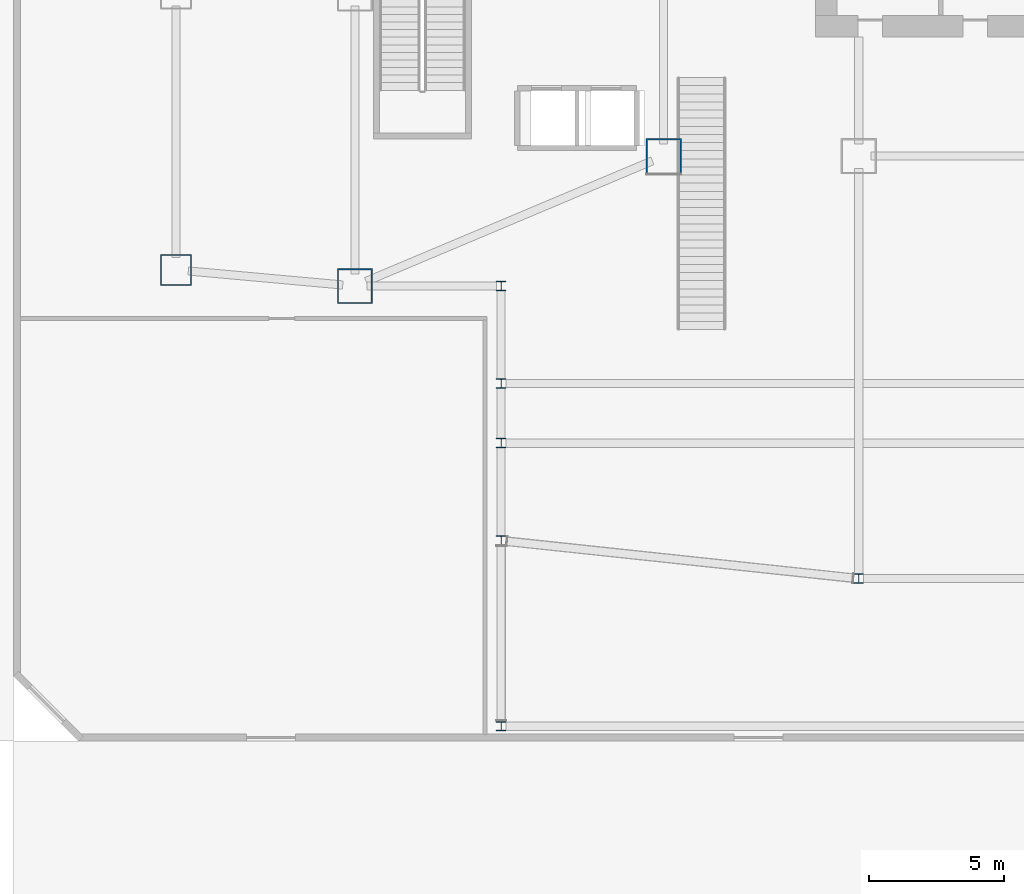
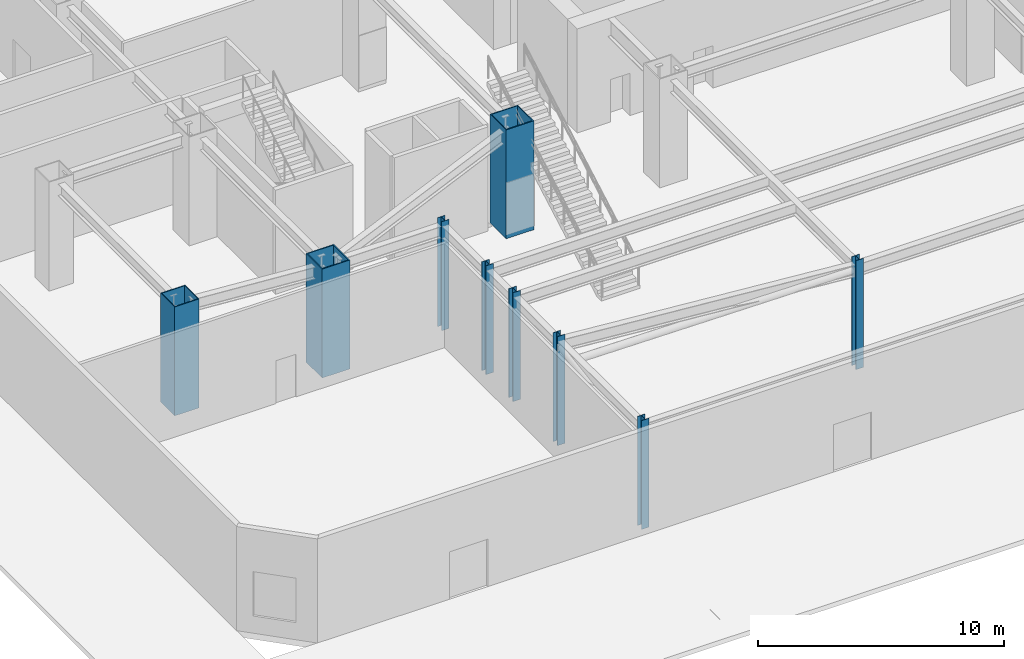
# One storey, part 1 of 20: 9 columns.
"""IFC4 building model written with IfcOpenShell, lengths in metres."""

from ifc_helpers import new_model, si_unit, direction, frame, origin, origin_2d, place, context, subcontext, project, spatial, hollow_rectangle, i_section, extrude, material, material_profile, profile_set, type_object, element, save


model = new_model("IFC4")

# Units and contexts
model_context = context("Model", 3, precision=1e-05, world=origin(), true_north=direction((0.0, 1.0)))
body_context = subcontext(model_context, "Body", "Model", "MODEL_VIEW")
ifc_project = project(units=[si_unit("LENGTHUNIT", "METRE"), si_unit("AREAUNIT", "SQUARE_METRE"), si_unit("VOLUMEUNIT", "CUBIC_METRE"), si_unit("PLANEANGLEUNIT", "RADIAN"), si_unit("MASSUNIT", "GRAM", prefix="KILO")], contexts=[model_context])

# Site, building, storey
site_placement = place(None, origin())
site = spatial("IfcSite", under=ifc_project, at=site_placement, CompositionType="ELEMENT")
building_placement = place(site_placement, origin())
building = spatial("IfcBuilding", under=site, at=building_placement, Name="Haolan Belvedere Tower", CompositionType="ELEMENT")
storey_placement = place(building_placement, origin())
storey = spatial("IfcBuildingStorey", under=building, at=storey_placement, Name="L00", CompositionType="ELEMENT", Elevation=0.0)

# Columns
ifc_material = material(Name="Steel Q355B", Category="steel")
ifc_material_profile_1 = material_profile(ifc_material, hollow_rectangle(XDim=1.14990234375, YDim=1.14990234375, WallThickness=0.0419921875, at=origin_2d()), Name="Steel Q355B")
ifc_profile_set_1 = profile_set([ifc_material_profile_1], Name="Steel Q355B")
column_type_1 = type_object("IfcColumnType", Name="COL-BOX1150x1150x42", PredefinedType="COLUMN", material=ifc_profile_set_1)
column_placement = place(storey_placement, frame((6.0, 17.39990234375, 0.0), z_axis=(0.0, 0.0, 1.0), x_axis=(1.0, 0.0, 0.0)))
element("IfcColumn", 1, at=column_placement, inside=storey, type_object=column_type_1, Name="L00 column MC-T1-SW (BOX1150x1150x42)", PredefinedType="COLUMN", context=body_context, shape_type="SweptSolid", body=[
    extrude(hollow_rectangle(XDim=1.14990234375, YDim=1.14990234375, WallThickness=0.0419921875, at=origin_2d()), origin(), (0.0, 0.0, 1.0), 5.39990234375),
])
ifc_material_profile_2 = material_profile(ifc_material, hollow_rectangle(XDim=1.300048828125, YDim=1.300048828125, WallThickness=0.048095703125, at=origin_2d()), Name="Steel Q355B")
ifc_profile_set_2 = profile_set([ifc_material_profile_2], Name="Steel Q355B")
column_type_2 = type_object("IfcColumnType", Name="COL-BOX1300x1300x48", PredefinedType="COLUMN", material=ifc_profile_set_2)
for number, where, z_axis, x_axis, name in (
    (2, (24.0, 21.60009765625, 0.0), (0.0, 0.0, 1.0), (1.0, 0.0, 0.0), "L00 column MC-T3-SW (BOX1300x1300x48)"),
    (3, (12.60009765625, 16.800048828125, 0.0), (0.0, 0.0, 1.0), (1.0, 0.0, 0.0), "L00 column MC-T2-SW (BOX1300x1300x48)"),
):
    element("IfcColumn", number, at=place(storey_placement, frame(where, z_axis=z_axis, x_axis=x_axis)), inside=storey, type_object=column_type_2, Name=name, PredefinedType="COLUMN", context=body_context, shape_type="SweptSolid", body=[
        extrude(hollow_rectangle(XDim=1.300048828125, YDim=1.300048828125, WallThickness=0.048095703125, at=origin_2d()), origin(), (0.0, 0.0, 1.0), 5.39990234375),
    ])
ifc_material_profile_3 = material_profile(ifc_material, i_section(OverallWidth=0.35009765625, OverallDepth=0.35009765625, WebThickness=0.011962890625, FlangeThickness=0.01904296875, FilletRadius=0.02001953125, at=origin_2d()), Name="Steel Q355B")
ifc_profile_set_3 = profile_set([ifc_material_profile_3], Name="Steel Q355B")
column_type_3 = type_object("IfcColumnType", Name="COL-HW350x350x12x19", PredefinedType="COLUMN", material=ifc_profile_set_3)
for number, where, z_axis, x_axis, name in (
    (4, (18.0, 0.550048828125, 0.0), (0.0, 0.0, 1.0), (1.0, 0.0, 0.0), "L00 column PC-S0-W (HW350x350x12x19)"),
    (5, (18.0, 7.39990234375, 0.0), (0.0, 0.0, 1.0), (1.0, 0.0, 0.0), "L00 column PC-SW-1 (HW350x350x12x19)"),
    (6, (31.199951171875, 6.0, 0.0), (0.0, 0.0, 1.0), (1.0, 0.0, 0.0), "L00 column PC-SM-1 (HW350x350x12x19)"),
    (7, (18.0, 11.0, 0.0), (0.0, 0.0, 1.0), (1.0, 0.0, 0.0), "L00 column PC-CS2-W (HW350x350x12x19)"),
    (8, (18.0, 13.199951171875, 0.0), (0.0, 0.0, 1.0), (1.0, 0.0, 0.0), "L00 column PC-CS3-W (HW350x350x12x19)"),
    (9, (18.0, 16.800048828125, 0.0), (0.0, 0.0, 1.0), (1.0, 0.0, 0.0), "L00 column PC-CS4-W (HW350x350x12x19)"),
):
    element("IfcColumn", number, at=place(storey_placement, frame(where, z_axis=z_axis, x_axis=x_axis)), inside=storey, type_object=column_type_3, Name=name, PredefinedType="COLUMN", context=body_context, shape_type="SweptSolid", body=[
        extrude(i_section(OverallWidth=0.35009765625, OverallDepth=0.35009765625, WebThickness=0.011962890625, FlangeThickness=0.01904296875, FilletRadius=0.02001953125, at=origin_2d()), origin(), (0.0, 0.0, 1.0), 5.39990234375),
    ])

save(model, "model.ifc")
